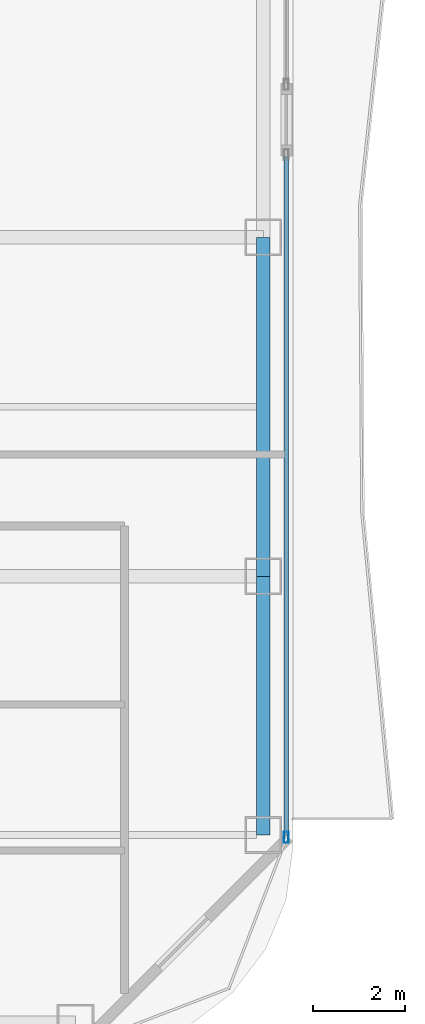
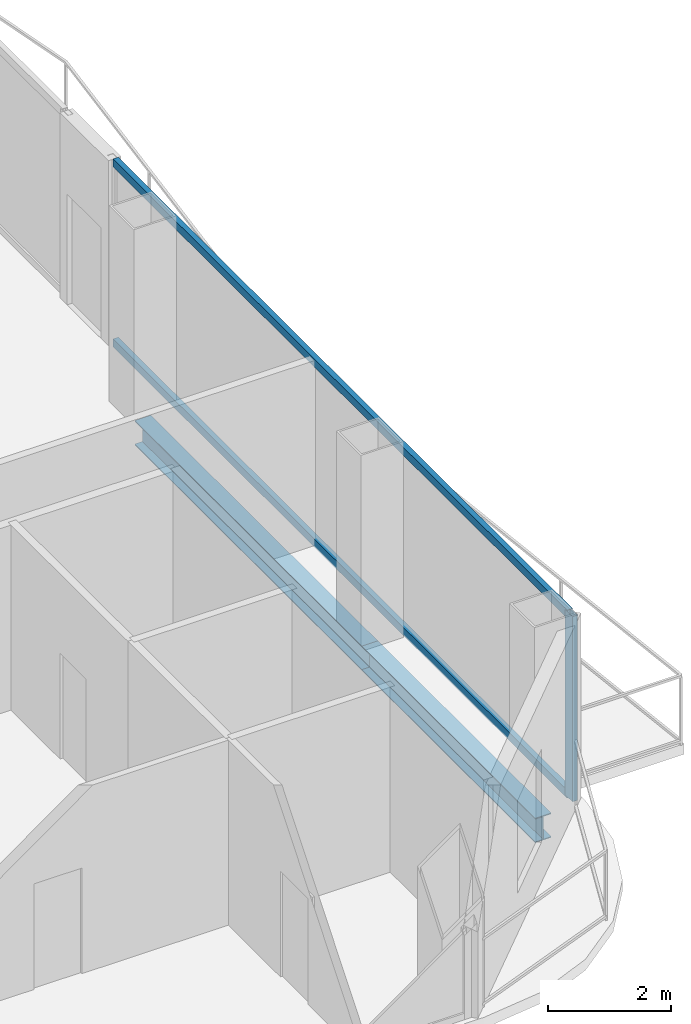
# One storey, part 10 of 28: 3 members, 2 beams, 1 element without a shape of its own.
"""IFC4 building model written with IfcOpenShell, lengths in metres."""

from ifc_helpers import new_model, si_unit, direction, frame, origin, origin_2d, place, context, subcontext, project, spatial, hollow_rectangle, i_section, extrude, material, layer, layer_set, material_profile, profile_set, type_object, element, aggregate, save


model = new_model("IFC4")

# Units and contexts
model_context = context("Model", 3, precision=1e-05, world=origin(), true_north=direction((0.0, 1.0)))
body_context = subcontext(model_context, "Body", "Model", "MODEL_VIEW")
ifc_project = project(units=[si_unit("LENGTHUNIT", "METRE"), si_unit("AREAUNIT", "SQUARE_METRE"), si_unit("VOLUMEUNIT", "CUBIC_METRE"), si_unit("PLANEANGLEUNIT", "RADIAN"), si_unit("MASSUNIT", "GRAM", prefix="KILO")], contexts=[model_context])

# Site, building, storey
site_placement = place(None, origin())
site = spatial("IfcSite", under=ifc_project, at=site_placement, CompositionType="ELEMENT")
building_placement = place(site_placement, origin())
building = spatial("IfcBuilding", under=site, at=building_placement, Name="Khorvyn Point Tower", CompositionType="ELEMENT")
storey_placement = place(building_placement, frame((0.0, 0.0, 34.5)))
storey = spatial("IfcBuildingStorey", under=building, at=storey_placement, Name="L09", CompositionType="ELEMENT", Elevation=34.5)

# Curtain wall, members
ifc_material_1 = material(Name="Anodised aluminium 6063-T6 and laminated Low-E glass", Category="aluminium")
ifc_layer = layer(ifc_material_1, 0.18994140625)
ifc_layer_set = layer_set([ifc_layer], Name="Stick-Built Finned Residential Curtain Wall CW-SYS-02")
curtain_wall_type = type_object("IfcCurtainWallType", Name="Stick-Built Finned Residential Curtain Wall CW-SYS-02", PredefinedType="NOTDEFINED", material=ifc_layer_set)
curtain_wall_placement = place(storey_placement, origin())
curtain_wall = element("IfcCurtainWall", 1, at=curtain_wall_placement, inside=storey, type_object=curtain_wall_type, Name="Curtain Wall", PredefinedType="NOTDEFINED")
ifc_material_2 = material(Name="Anodised aluminium 6063-T6", Category="aluminium")
ifc_material_profile_1 = material_profile(ifc_material_2, hollow_rectangle(XDim=0.10009765625, YDim=0.239990234375, WallThickness=0.0048828125, at=origin_2d()))
ifc_profile_set_1 = profile_set([ifc_material_profile_1], Name="Anodised aluminium 6063-T6 ALU-MUL-100x240")
member_type_1 = type_object("IfcMemberType", Name="Anodised Aluminium 6063-T6 Mullion ALU-MUL-100x240", PredefinedType="MULLION", material=ifc_profile_set_1)
member_1_placement = place(storey_placement, frame((27.949951171875, -20.5, 0.0), z_axis=(0.0, 0.0, 1.0), x_axis=(1.0, 0.0, 0.0)))
member_1 = element("IfcMember", 2, at=member_1_placement, type_object=member_type_1, Name="Transom", PredefinedType="MULLION", context=body_context, shape_type="SweptSolid", body=[
    extrude(hollow_rectangle(XDim=0.10009765625, YDim=0.239990234375, WallThickness=0.0048828125, at=origin_2d()), origin(), (0.0, 0.0, 1.0), 3.679931640625),
])
ifc_material_profile_2 = material_profile(ifc_material_2, hollow_rectangle(XDim=0.10009765625, YDim=0.159912109375, WallThickness=0.00439453125, at=origin_2d()))
ifc_profile_set_2 = profile_set([ifc_material_profile_2], Name="Anodised aluminium 6063-T6 ALU-TRN-100x160")
member_type_2 = type_object("IfcMemberType", Name="Anodised Aluminium 6063-T6 Transom ALU-TRN-100x160", PredefinedType="USERDEFINED", material=ifc_profile_set_2)
member_2_placement = place(storey_placement, frame((27.949951171875, -5.64990234375, 0.050048828125), z_axis=(0.0, -1.0, 0.0), x_axis=(1.0, 0.0, 0.0)))
member_2 = element("IfcMember", 3, at=member_2_placement, type_object=member_type_2, Name="Transom", ObjectType="TRANSOM", PredefinedType="USERDEFINED", context=body_context, shape_type="SweptSolid", body=[
    extrude(hollow_rectangle(XDim=0.10009765625, YDim=0.159912109375, WallThickness=0.00439453125, at=origin_2d()), origin(), (0.0, 0.0, 1.0), 14.800048828125),
])
member_3_placement = place(storey_placement, frame((27.949951171875, -5.64990234375, 3.6298828125), z_axis=(0.0, -1.0, 0.0), x_axis=(1.0, 0.0, 0.0)))
member_3 = element("IfcMember", 4, at=member_3_placement, type_object=member_type_2, Name="Transom", ObjectType="TRANSOM", PredefinedType="USERDEFINED", context=body_context, shape_type="SweptSolid", body=[
    extrude(hollow_rectangle(XDim=0.10009765625, YDim=0.159912109375, WallThickness=0.00439453125, at=origin_2d()), origin(), (0.0, 0.0, 1.0), 14.800048828125),
])
aggregate(curtain_wall, [member_1, member_2, member_3])

# Beams
ifc_material_3 = material(Name="Steel S355", Category="steel")
ifc_material_profile_3 = material_profile(ifc_material_3, i_section(OverallWidth=0.300048828125, OverallDepth=0.488037109375, WebThickness=0.010986328125, FlangeThickness=0.01806640625, at=origin_2d()))
ifc_profile_set_3 = profile_set([ifc_material_profile_3], Name="Steel S355 H488x300x11x18")
beam_type = type_object("IfcBeamType", Name="Steel S355 Spandrel H488x300x11x18", PredefinedType="SPANDREL", material=ifc_profile_set_3)
beam_1_placement = place(storey_placement, frame((27.449951171875, -20.449951171875, -0.464111328125), z_axis=(0.0, 1.0, 0.0), x_axis=(-1.0, 0.0, 0.0)))
element("IfcBeam", 5, at=beam_1_placement, inside=storey, type_object=beam_type, Name="Beam", PredefinedType="SPANDREL", context=body_context, shape_type="SweptSolid", body=[
    extrude(i_section(OverallWidth=0.300048828125, OverallDepth=0.488037109375, WebThickness=0.010986328125, FlangeThickness=0.01806640625, at=origin_2d()), origin(), (0.0, 0.0, 1.0), 5.64990234375),
])
beam_2_placement = place(storey_placement, frame((27.449951171875, -14.800048828125, -0.464111328125), z_axis=(0.0, 1.0, 0.0), x_axis=(-1.0, 0.0, 0.0)))
element("IfcBeam", 6, at=beam_2_placement, inside=storey, type_object=beam_type, Name="Beam", PredefinedType="SPANDREL", context=body_context, shape_type="SweptSolid", body=[
    extrude(i_section(OverallWidth=0.300048828125, OverallDepth=0.488037109375, WebThickness=0.010986328125, FlangeThickness=0.01806640625, at=origin_2d()), origin(), (0.0, 0.0, 1.0), 7.400146484375),
])

save(model, "model.ifc")
